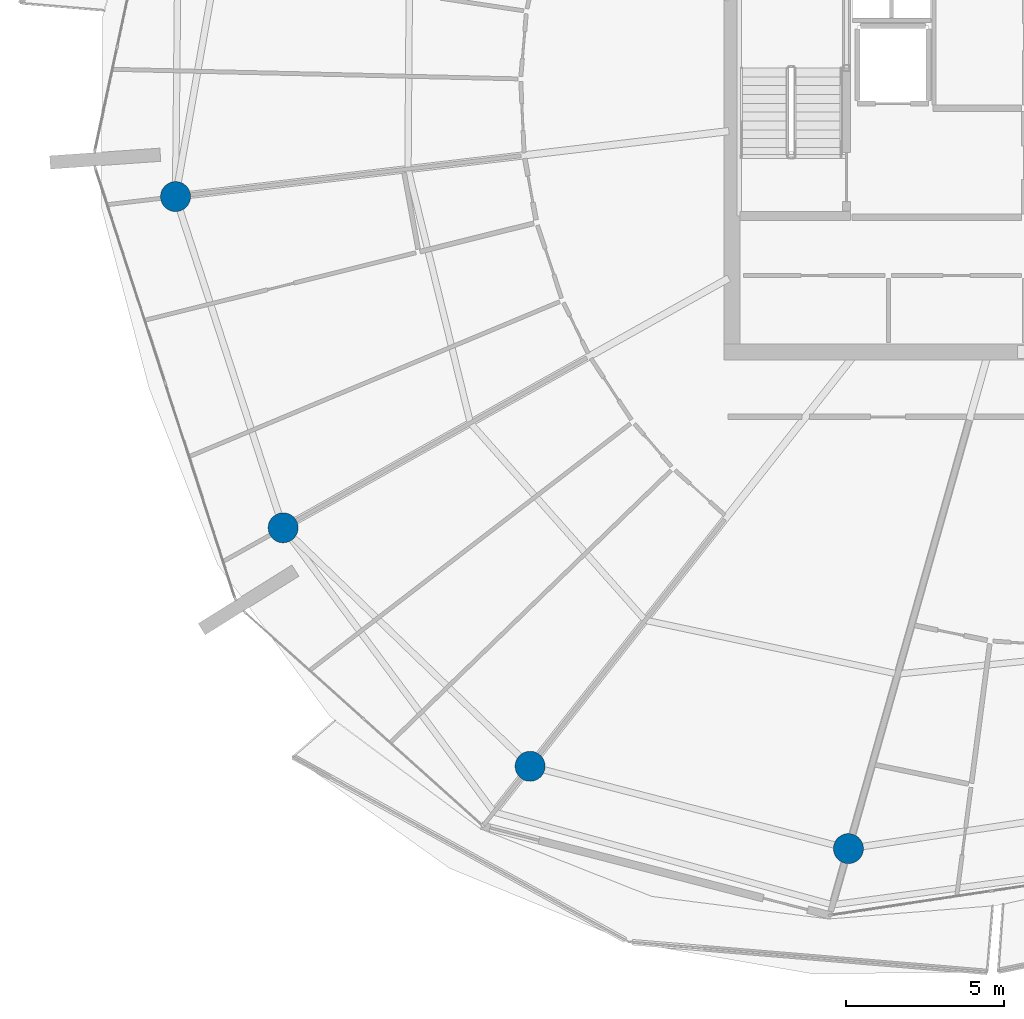
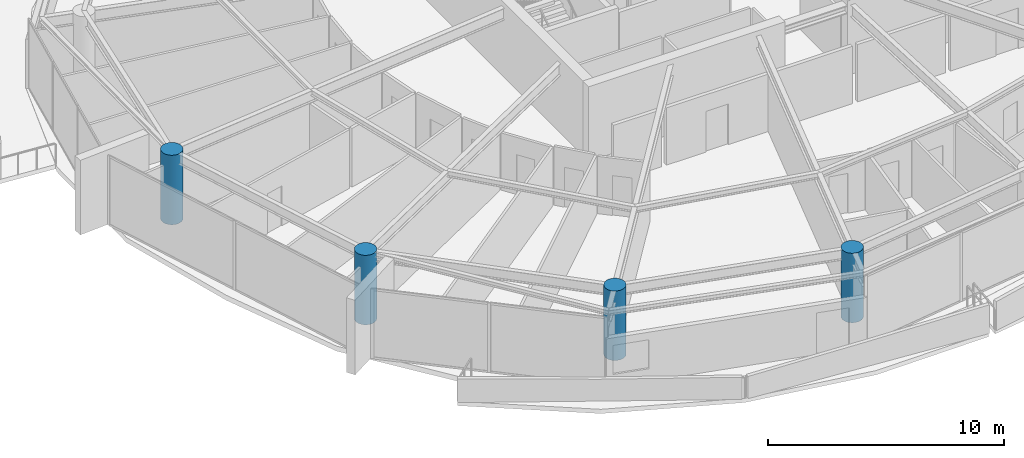
# One storey, part 1 of 30: 4 columns.
"""IFC4 building model written with IfcOpenShell, lengths in metres."""

from ifc_helpers import new_model, si_unit, direction, frame, origin, origin_2d, place, context, subcontext, project, spatial, circle, extrude, material, material_profile, profile_set, type_object, element, save


model = new_model("IFC4")

# Units and contexts
model_context = context("Model", 3, precision=1e-05, world=origin(), true_north=direction((0.0, 1.0)))
body_context = subcontext(model_context, "Body", "Model", "MODEL_VIEW")
ifc_project = project(units=[si_unit("LENGTHUNIT", "METRE"), si_unit("AREAUNIT", "SQUARE_METRE"), si_unit("VOLUMEUNIT", "CUBIC_METRE"), si_unit("PLANEANGLEUNIT", "RADIAN"), si_unit("MASSUNIT", "GRAM", prefix="KILO")], contexts=[model_context])

# Site, building, storey
site_placement = place(None, origin())
site = spatial("IfcSite", under=ifc_project, at=site_placement, CompositionType="ELEMENT")
building_placement = place(site_placement, origin())
building = spatial("IfcBuilding", under=site, at=building_placement, Name="Kazma Halo Residences", CompositionType="ELEMENT")
storey_placement = place(building_placement, frame((0.0, 0.0, 290.60009765625)))
storey = spatial("IfcBuildingStorey", under=building, at=storey_placement, Name="L73", CompositionType="ELEMENT", Elevation=290.60009765625)

# Columns
ifc_material = material(Name="Concrete C60/75", Category="concrete")
ifc_material_profile = material_profile(ifc_material, circle(Radius=0.47509765625, at=origin_2d()), Name="CIRC950")
ifc_profile_set = profile_set([ifc_material_profile], Name="Concrete C60/75")
column_type = type_object("IfcColumnType", Name="COL-PERIM-950", PredefinedType="COLUMN", material=ifc_profile_set)
for number, where, z_axis, x_axis, name in (
    (1, (19.92041015625, 38.676513671875, 0.0), (0.0, 0.0, 1.0), (1.0, 0.0, 0.0), "L73 perimeter ring column P08"),
    (2, (23.32958984375, 28.18408203125, 0.0), (0.0, 0.0, 1.0), (1.0, 0.0, 0.0), "L73 perimeter ring column P09"),
    (3, (31.15283203125, 20.62939453125, 0.0), (0.0, 0.0, 1.0), (1.0, 0.0, 0.0), "L73 perimeter ring column P10"),
    (4, (41.237060546875, 18.0205078125, 0.0), (0.0, 0.0, 1.0), (1.0, 0.0, 0.0), "L73 perimeter ring column P11"),
):
    element("IfcColumn", number, at=place(storey_placement, frame(where, z_axis=z_axis, x_axis=x_axis)), inside=storey, type_object=column_type, Name=name, PredefinedType="COLUMN", context=body_context, shape_type="SweptSolid", body=[
        extrude(circle(Radius=0.47509765625, at=origin_2d()), origin(), (0.0, 0.0, 1.0), 3.58984375),
    ])

save(model, "model.ifc")
